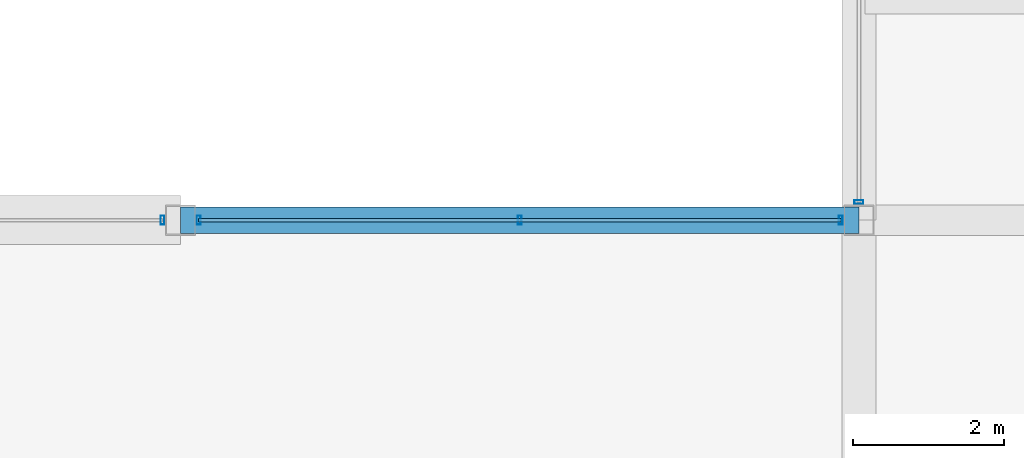
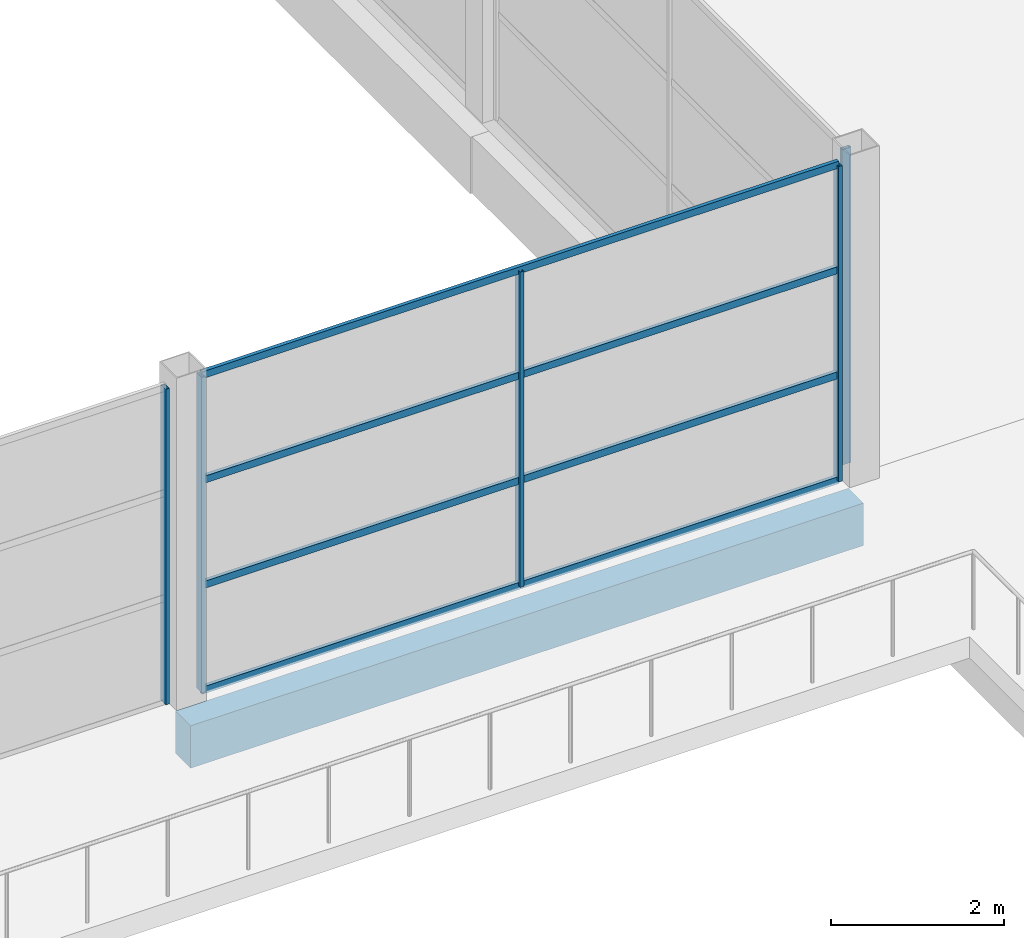
# One storey, part 68 of 112: 9 members, 1 beam, 3 elements without a shape of their own.
"""IFC4 building model written with IfcOpenShell, lengths in metres."""

from ifc_helpers import new_model, si_unit, direction, frame, origin, origin_2d, place, context, subcontext, project, spatial, rectangle, hollow_rectangle, extrude, material, material_profile, profile_set, type_object, element, aggregate, save


model = new_model("IFC4")

# Units and contexts
model_context = context("Model", 3, precision=1e-05, world=origin(), true_north=direction((0.0, 1.0)))
body_context = subcontext(model_context, "Body", "Model", "MODEL_VIEW")
ifc_project = project(units=[si_unit("LENGTHUNIT", "METRE"), si_unit("AREAUNIT", "SQUARE_METRE"), si_unit("VOLUMEUNIT", "CUBIC_METRE"), si_unit("PLANEANGLEUNIT", "RADIAN"), si_unit("MASSUNIT", "GRAM", prefix="KILO")], contexts=[model_context])

# Site, building, storey
site_placement = place(None, origin())
site = spatial("IfcSite", under=ifc_project, at=site_placement, CompositionType="ELEMENT")
building_placement = place(site_placement, origin())
building = spatial("IfcBuilding", under=site, at=building_placement, Name="Solvikara Media Centre", CompositionType="ELEMENT")
storey_placement = place(building_placement, frame((0.0, 0.0, 5.39990234375)))
storey = spatial("IfcBuildingStorey", under=building, at=storey_placement, Name="L01", CompositionType="ELEMENT", Elevation=5.39990234375)

# Beam
ifc_material_1 = material(Name="Concrete fc' 35 MPa (C35/45)", Category="concrete")
ifc_material_profile_1 = material_profile(ifc_material_1, rectangle(XDim=0.35009765625, YDim=0.60009765625, at=origin_2d()), Name="RC 350x600")
ifc_profile_set_1 = profile_set([ifc_material_profile_1], Name="Concrete fc' 35 MPa (C35/45)")
beam_type = type_object("IfcBeamType", Name="BM-01", PredefinedType="BEAM", material=ifc_profile_set_1)
beam_placement = place(storey_placement, frame((145.5, 72.0, -0.599853515625), z_axis=(1.0, 0.0, 0.0), x_axis=(0.0, 1.0, 0.0)))
element("IfcBeam", 1, at=beam_placement, inside=storey, type_object=beam_type, Name="B-L01-X0505", PredefinedType="BEAM", context=body_context, shape_type="SweptSolid", body=[
    extrude(rectangle(XDim=0.35009765625, YDim=0.60009765625, at=origin_2d()), origin(), (0.0, 0.0, 1.0), 9.0),
])

# Curtain wall, member
ifc_material_2 = material(Name="Anodised aluminium EN AW-6063", Category="aluminium")
curtain_wall_type = type_object("IfcCurtainWallType", Name="CW-12", PredefinedType="NOTDEFINED", material=ifc_material_2)
curtain_wall_1_placement = place(storey_placement, origin())
curtain_wall_1 = element("IfcCurtainWall", 2, at=curtain_wall_1_placement, inside=storey, type_object=curtain_wall_type, Name="CW-L01-CRT-1-S1", PredefinedType="NOTDEFINED")
ifc_material_profile_2 = material_profile(ifc_material_2, hollow_rectangle(XDim=0.050048828125, YDim=0.1201171875, WallThickness=0.0029296875, at=origin_2d()), Name="ALU-M 50x120x3")
ifc_profile_set_2 = profile_set([ifc_material_profile_2], Name="Anodised aluminium EN AW-6063")
member_type_1 = type_object("IfcMemberType", Name="MF-06", PredefinedType="MULLION", material=ifc_profile_set_2)
member_1_placement = place(storey_placement, frame((145.260009765625, 72.0, 0.02001953125), z_axis=(0.0, 0.0, 1.0), x_axis=(1.0, 0.0, 0.0)))
member_1 = element("IfcMember", 3, at=member_1_placement, type_object=member_type_1, Name="CW-L01-CRT-1-S1-M02", PredefinedType="MULLION", context=body_context, shape_type="SweptSolid", body=[
    extrude(hollow_rectangle(XDim=0.050048828125, YDim=0.1201171875, WallThickness=0.0029296875, at=origin_2d()), origin(), (0.0, 0.0, 1.0), 4.4599609375),
])
aggregate(curtain_wall_1, [member_1])

# Curtain wall, members
curtain_wall_2_placement = place(storey_placement, origin())
curtain_wall_2 = element("IfcCurtainWall", 4, at=curtain_wall_2_placement, inside=storey, type_object=curtain_wall_type, Name="CW-L01-CRT-1-S2", PredefinedType="NOTDEFINED")
member_2_placement = place(storey_placement, frame((145.739990234375, 72.0, 0.02001953125), z_axis=(0.0, 0.0, 1.0), x_axis=(1.0, 0.0, 0.0)))
member_2 = element("IfcMember", 5, at=member_2_placement, type_object=member_type_1, Name="CW-L01-CRT-1-S2-M00", PredefinedType="MULLION", context=body_context, shape_type="SweptSolid", body=[
    extrude(hollow_rectangle(XDim=0.050048828125, YDim=0.1201171875, WallThickness=0.0029296875, at=origin_2d()), origin(), (0.0, 0.0, 1.0), 4.4599609375),
])
member_3_placement = place(storey_placement, frame((150.0, 72.0, 0.02001953125), z_axis=(0.0, 0.0, 1.0), x_axis=(1.0, 0.0, 0.0)))
member_3 = element("IfcMember", 6, at=member_3_placement, type_object=member_type_1, Name="CW-L01-CRT-1-S2-M01", PredefinedType="MULLION", context=body_context, shape_type="SweptSolid", body=[
    extrude(hollow_rectangle(XDim=0.050048828125, YDim=0.1201171875, WallThickness=0.0029296875, at=origin_2d()), origin(), (0.0, 0.0, 1.0), 4.4599609375),
])
member_4_placement = place(storey_placement, frame((154.260009765625, 72.0, 0.02001953125), z_axis=(0.0, 0.0, 1.0), x_axis=(1.0, 0.0, 0.0)))
member_4 = element("IfcMember", 7, at=member_4_placement, type_object=member_type_1, Name="CW-L01-CRT-1-S2-M02", PredefinedType="MULLION", context=body_context, shape_type="SweptSolid", body=[
    extrude(hollow_rectangle(XDim=0.050048828125, YDim=0.1201171875, WallThickness=0.0029296875, at=origin_2d()), origin(), (0.0, 0.0, 1.0), 4.4599609375),
])

# Curtain wall, member
curtain_wall_3_placement = place(storey_placement, origin())
curtain_wall_3 = element("IfcCurtainWall", 8, at=curtain_wall_3_placement, inside=storey, type_object=curtain_wall_type, Name="CW-L01-CRT-2-S1", PredefinedType="NOTDEFINED")
member_5_placement = place(storey_placement, frame((154.5, 72.239990234375, 0.02001953125), z_axis=(0.0, 0.0, 1.0), x_axis=(0.0, 1.0, 0.0)))
member_5 = element("IfcMember", 9, at=member_5_placement, type_object=member_type_1, Name="CW-L01-CRT-2-S1-M00", PredefinedType="MULLION", context=body_context, shape_type="SweptSolid", body=[
    extrude(hollow_rectangle(XDim=0.050048828125, YDim=0.1201171875, WallThickness=0.0029296875, at=origin_2d()), origin(), (0.0, 0.0, 1.0), 4.4599609375),
])
aggregate(curtain_wall_3, [member_5])

# Member
ifc_material_profile_3 = material_profile(ifc_material_2, hollow_rectangle(XDim=0.050048828125, YDim=0.10009765625, WallThickness=0.0029296875, at=origin_2d()), Name="ALU-T 50x100x3")
ifc_profile_set_3 = profile_set([ifc_material_profile_3], Name="Anodised aluminium EN AW-6063")
member_type_2 = type_object("IfcMemberType", Name="MF-12", PredefinedType="USERDEFINED", material=ifc_profile_set_3)
member_6_placement = place(storey_placement, frame((145.739990234375, 72.0, 0.02001953125), z_axis=(1.0, 0.0, 0.0), x_axis=(0.0, 1.0, 0.0)))
member_6 = element("IfcMember", 10, at=member_6_placement, type_object=member_type_2, Name="CW-L01-CRT-1-S2-T00", ObjectType="TRANSOM", PredefinedType="USERDEFINED", context=body_context, shape_type="SweptSolid", body=[
    extrude(hollow_rectangle(XDim=0.050048828125, YDim=0.10009765625, WallThickness=0.0029296875, at=origin_2d()), origin(), (0.0, 0.0, 1.0), 8.52001953125),
])

member_7_placement = place(storey_placement, frame((145.739990234375, 72.0, 1.507080078125), z_axis=(1.0, 0.0, 0.0), x_axis=(0.0, 1.0, 0.0)))
member_7 = element("IfcMember", 11, at=member_7_placement, type_object=member_type_2, Name="CW-L01-CRT-1-S2-T01", ObjectType="TRANSOM", PredefinedType="USERDEFINED", context=body_context, shape_type="SweptSolid", body=[
    extrude(hollow_rectangle(XDim=0.050048828125, YDim=0.10009765625, WallThickness=0.0029296875, at=origin_2d()), origin(), (0.0, 0.0, 1.0), 8.52001953125),
])

member_8_placement = place(storey_placement, frame((145.739990234375, 72.0, 2.9931640625), z_axis=(1.0, 0.0, 0.0), x_axis=(0.0, 1.0, 0.0)))
member_8 = element("IfcMember", 12, at=member_8_placement, type_object=member_type_2, Name="CW-L01-CRT-1-S2-T02", ObjectType="TRANSOM", PredefinedType="USERDEFINED", context=body_context, shape_type="SweptSolid", body=[
    extrude(hollow_rectangle(XDim=0.050048828125, YDim=0.10009765625, WallThickness=0.0029296875, at=origin_2d()), origin(), (0.0, 0.0, 1.0), 8.52001953125),
])

member_9_placement = place(storey_placement, frame((145.739990234375, 72.0, 4.47998046875), z_axis=(1.0, 0.0, 0.0), x_axis=(0.0, 1.0, 0.0)))
member_9 = element("IfcMember", 13, at=member_9_placement, type_object=member_type_2, Name="CW-L01-CRT-1-S2-T03", ObjectType="TRANSOM", PredefinedType="USERDEFINED", context=body_context, shape_type="SweptSolid", body=[
    extrude(hollow_rectangle(XDim=0.050048828125, YDim=0.10009765625, WallThickness=0.0029296875, at=origin_2d()), origin(), (0.0, 0.0, 1.0), 8.52001953125),
])

aggregate(curtain_wall_2, [member_2, member_3, member_4, member_6, member_7, member_8, member_9])

save(model, "model.ifc")
